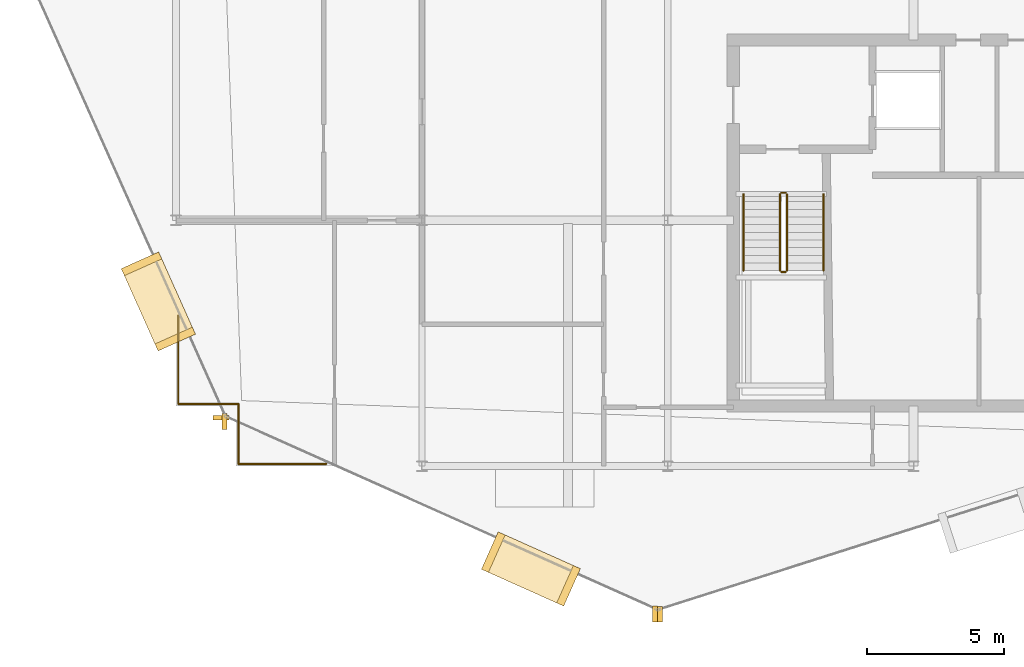
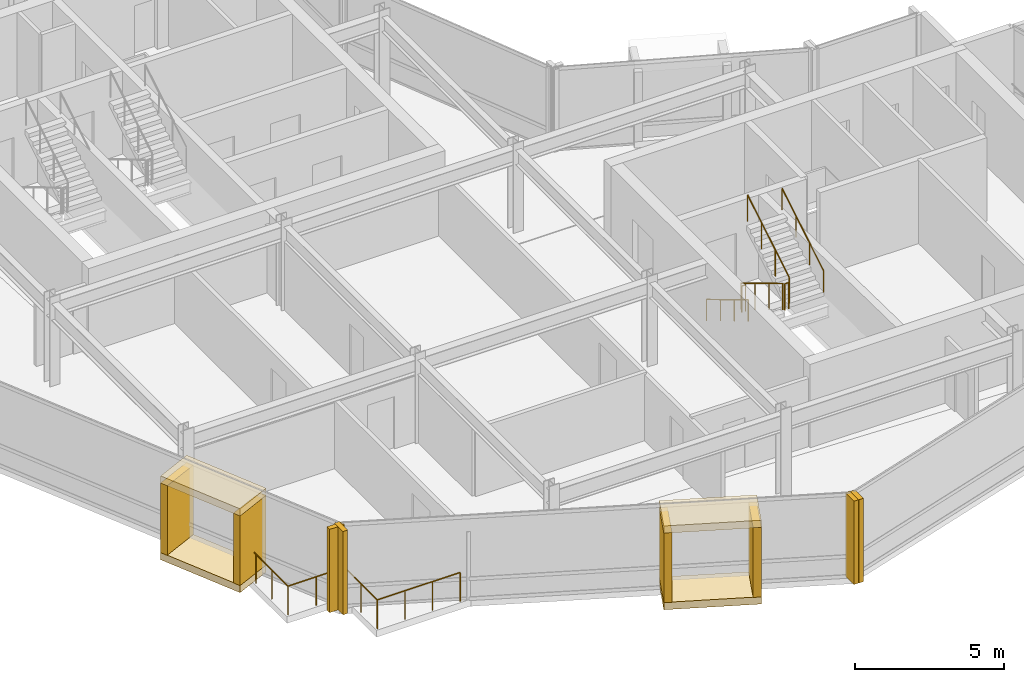
# One storey, part 16 of 19: 12 coverings, 10 railings.
"""IFC4 building model written with IfcOpenShell, lengths in metres."""

from ifc_helpers import new_model, si_unit, direction, frame, origin, origin_2d, place, context, subcontext, project, spatial, rectangle, circle, extrude, material, layer, layer_set, type_object, element, save


model = new_model("IFC4")

# Units and contexts
model_context = context("Model", 3, precision=1e-05, world=origin(), true_north=direction((0.0, 1.0)))
body_context = subcontext(model_context, "Body", "Model", "MODEL_VIEW")
ifc_project = project(units=[si_unit("LENGTHUNIT", "METRE"), si_unit("AREAUNIT", "SQUARE_METRE"), si_unit("VOLUMEUNIT", "CUBIC_METRE"), si_unit("PLANEANGLEUNIT", "RADIAN"), si_unit("MASSUNIT", "GRAM", prefix="KILO")], contexts=[model_context])

# Site, building, storey
site_placement = place(None, origin())
site = spatial("IfcSite", under=ifc_project, at=site_placement, CompositionType="ELEMENT")
building_placement = place(site_placement, origin())
building = spatial("IfcBuilding", under=site, at=building_placement, Name="Solvaryn Broadcast Tower", CompositionType="ELEMENT")
storey_placement = place(building_placement, frame((0.0, 0.0, 251.89990234375)))
storey = spatial("IfcBuildingStorey", under=building, at=storey_placement, Name="L63", CompositionType="ELEMENT", Elevation=251.89990234375)

# Coverings
ifc_material_1 = material(Name="Glazed Architectural Terracotta Rainscreen Cladding", Category="masonry")
ifc_layer_1 = layer(ifc_material_1, 0.280029296875)
ifc_layer_set_1 = layer_set([ifc_layer_1], Name="CV-TC-CLAD")
covering_type_1 = type_object("IfcCoveringType", Name="CV-TC-CLAD", PredefinedType="CLADDING", material=ifc_layer_set_1)
for number, where, z_axis, x_axis, name in (
    (1, (8.35107421875, 15.030029296875, 3.1298828125), (0.0, 0.0, 1.0), (0.408489773781, -0.91276289622, 0.0), "L63 Projecting Stone Window Box Hood 2"),
    (2, (8.35107421875, 15.030029296875, -0.009765625), (0.0, 0.0, 1.0), (0.408489773781, -0.91276289622, 0.0), "L63 Projecting Stone Window Box Sill 2"),
):
    element("IfcCovering", number, at=place(storey_placement, frame(where, z_axis=z_axis, x_axis=x_axis)), inside=storey, type_object=covering_type_1, Name=name, PredefinedType="CLADDING", context=body_context, shape_type="SweptSolid", body=[
        extrude(rectangle(XDim=3.300048828125, YDim=1.5, at=origin_2d()), origin(), (0.0, 0.0, 1.0), 0.300048828125),
    ])
for number, where, z_axis, x_axis, name in (
    (3, (7.734130859375, 16.408203125, 0.2802734375), (0.0, 0.0, 1.0), (0.408489773781, -0.91276289622, 0.0), "L63 Projecting Stone Window Box Cheek 2-1"),
    (4, (8.9677734375, 13.651611328125, 0.2802734375), (0.0, 0.0, 1.0), (0.408489773781, -0.91276289622, 0.0), "L63 Projecting Stone Window Box Cheek 2-2"),
):
    element("IfcCovering", number, at=place(storey_placement, frame(where, z_axis=z_axis, x_axis=x_axis)), inside=storey, type_object=covering_type_1, Name=name, PredefinedType="CLADDING", context=body_context, shape_type="SweptSolid", body=[
        extrude(rectangle(XDim=0.280029296875, YDim=1.5, at=origin_2d()), origin(), (0.0, 0.0, 1.0), 2.860107421875),
    ])
for number, where, z_axis, x_axis, name in (
    (5, (21.989990234375, 5.236083984375, 3.1298828125), (0.0, 0.0, 1.0), (0.91276289622, -0.408489773781, 0.0), "L63 Projecting Stone Window Box Hood 3"),
    (6, (21.989990234375, 5.236083984375, -0.009765625), (0.0, 0.0, 1.0), (0.91276289622, -0.408489773781, 0.0), "L63 Projecting Stone Window Box Sill 3"),
):
    element("IfcCovering", number, at=place(storey_placement, frame(where, z_axis=z_axis, x_axis=x_axis)), inside=storey, type_object=covering_type_1, Name=name, PredefinedType="CLADDING", context=body_context, shape_type="SweptSolid", body=[
        extrude(rectangle(XDim=3.300048828125, YDim=1.5, at=origin_2d()), origin(), (0.0, 0.0, 1.0), 0.300048828125),
    ])
for number, where, z_axis, x_axis, name in (
    (7, (20.61181640625, 5.852783203125, 0.2802734375), (0.0, 0.0, 1.0), (0.91276289622, -0.408489773781, 0.0), "L63 Projecting Stone Window Box Cheek 3-1"),
    (8, (23.368408203125, 4.619140625, 0.2802734375), (0.0, 0.0, 1.0), (0.91276289622, -0.408489773781, 0.0), "L63 Projecting Stone Window Box Cheek 3-2"),
):
    element("IfcCovering", number, at=place(storey_placement, frame(where, z_axis=z_axis, x_axis=x_axis)), inside=storey, type_object=covering_type_1, Name=name, PredefinedType="CLADDING", context=body_context, shape_type="SweptSolid", body=[
        extrude(rectangle(XDim=0.280029296875, YDim=1.5, at=origin_2d()), origin(), (0.0, 0.0, 1.0), 2.860107421875),
    ])
ifc_material_2 = material(Name="Extruded Architectural Terracotta Fin", Category="masonry")
ifc_layer_2 = layer(ifc_material_2, 0.179931640625)
ifc_layer_set_2 = layer_set([ifc_layer_2], Name="CV-TC-FIN")
covering_type_2 = type_object("IfcCoveringType", Name="CV-TC-FIN", PredefinedType="USERDEFINED", material=ifc_layer_set_2)
covering_placement = place(storey_placement, frame((10.640380859375, 10.77099609375, 0.000244140625), z_axis=(0.0, 0.0, 1.0), x_axis=(1.0, 0.0, 0.0)))
element("IfcCovering", 9, at=covering_placement, inside=storey, type_object=covering_type_2, Name="L63 Terracotta Vertical Fin FIN-L63-DR2-M01", ObjectType="FIN", PredefinedType="USERDEFINED", context=body_context, shape_type="SweptSolid", body=[
    extrude(rectangle(XDim=0.580078125, YDim=0.179931640625, at=origin_2d()), origin(), (0.0, 0.0, 1.0), 3.419921875),
])
for number, where, z_axis, x_axis, name in (
    (10, (10.77099609375, 10.640380859375, 0.000244140625), (0.0, 0.0, 1.0), (1.0, 0.0, 0.0), "L63 Terracotta Vertical Fin FIN-L63-DR3-M00"),
    (11, (26.53515625, 3.5859375, 0.000244140625), (0.0, 0.0, 1.0), (1.0, 0.0, 0.0), "L63 Terracotta Vertical Fin FIN-L63-DR3-M01"),
    (12, (26.71923828125, 3.575439453125, 0.000244140625), (0.0, 0.0, 1.0), (1.0, 0.0, 0.0), "L63 Terracotta Vertical Fin FIN-L63-DR4-M00"),
):
    element("IfcCovering", number, at=place(storey_placement, frame(where, z_axis=z_axis, x_axis=x_axis)), inside=storey, type_object=covering_type_2, Name=name, ObjectType="FIN", PredefinedType="USERDEFINED", context=body_context, shape_type="SweptSolid", body=[
        extrude(rectangle(XDim=0.179931640625, YDim=0.580078125, at=origin_2d()), origin(), (0.0, 0.0, 1.0), 3.419921875),
    ])

# Railings
ifc_material_3 = material(Name="Stainless Steel and Laminated Glass Guard", Category="steel")
railing_type_1 = type_object("IfcRailingType", Name="RL-SKYG-1200", PredefinedType="BALUSTRADE", material=ifc_material_3)
railing_1_placement = place(storey_placement, frame((9.080078125, 14.5, 0.0)))
element("IfcRailing", 13, at=railing_1_placement, inside=storey, type_object=railing_type_1, Name="L63 Upper SW Corner Balustrade 1", PredefinedType="BALUSTRADE", context=body_context, shape_type="SweptSolid", body=[
    extrude(circle(Radius=0.02392578125, at=origin_2d()), frame((0.0, 0.0, 1.17578125), z_axis=(0.0, -1.0, 0.0), x_axis=(1.0, 0.0, 0.0)), (0.0, 0.0, 1.0), 3.219970703125),
    extrude(circle(Radius=0.02099609375, at=origin_2d()), origin(), (0.0, 0.0, 1.0), 1.15185546875),
    extrude(circle(Radius=0.02099609375, at=origin_2d()), frame((0.0, -1.0732421875, 0.0)), (0.0, 0.0, 1.0), 1.15185546875),
    extrude(circle(Radius=0.02099609375, at=origin_2d()), frame((0.0, -2.146728515625, 0.0)), (0.0, 0.0, 1.0), 1.15185546875),
    extrude(circle(Radius=0.02099609375, at=origin_2d()), frame((0.0, -3.219970703125, 0.0)), (0.0, 0.0, 1.0), 1.15185546875),
])
railing_2_placement = place(storey_placement, frame((9.080078125, 11.280029296875, 0.0)))
element("IfcRailing", 14, at=railing_2_placement, inside=storey, type_object=railing_type_1, Name="L63 Upper SW Corner Balustrade 2", PredefinedType="BALUSTRADE", context=body_context, shape_type="SweptSolid", body=[
    extrude(circle(Radius=0.02392578125, at=origin_2d()), frame((0.0, 0.0, 1.17578125), z_axis=(1.0, 0.0, 0.0), x_axis=(0.0, 1.0, 0.0)), (0.0, 0.0, 1.0), 2.199951171875),
    extrude(circle(Radius=0.02099609375, at=origin_2d()), origin(), (0.0, 0.0, 1.0), 1.15185546875),
    extrude(circle(Radius=0.02099609375, at=origin_2d()), frame((1.10009765625, 0.0, 0.0)), (0.0, 0.0, 1.0), 1.15185546875),
    extrude(circle(Radius=0.02099609375, at=origin_2d()), frame((2.199951171875, 0.0, 0.0)), (0.0, 0.0, 1.0), 1.15185546875),
])
railing_3_placement = place(storey_placement, frame((11.280029296875, 11.280029296875, 0.0)))
element("IfcRailing", 15, at=railing_3_placement, inside=storey, type_object=railing_type_1, Name="L63 Upper SW Corner Balustrade 3", PredefinedType="BALUSTRADE", context=body_context, shape_type="SweptSolid", body=[
    extrude(circle(Radius=0.02392578125, at=origin_2d()), frame((0.0, 0.0, 1.17578125), z_axis=(0.0, -1.0, 0.0), x_axis=(1.0, 0.0, 0.0)), (0.0, 0.0, 1.0), 2.199951171875),
    extrude(circle(Radius=0.02099609375, at=origin_2d()), origin(), (0.0, 0.0, 1.0), 1.15185546875),
    extrude(circle(Radius=0.02099609375, at=origin_2d()), frame((0.0, -1.10009765625, 0.0)), (0.0, 0.0, 1.0), 1.15185546875),
    extrude(circle(Radius=0.02099609375, at=origin_2d()), frame((0.0, -2.199951171875, 0.0)), (0.0, 0.0, 1.0), 1.15185546875),
])
railing_4_placement = place(storey_placement, frame((11.280029296875, 9.080078125, 0.0)))
element("IfcRailing", 16, at=railing_4_placement, inside=storey, type_object=railing_type_1, Name="L63 Upper SW Corner Balustrade 4", PredefinedType="BALUSTRADE", context=body_context, shape_type="SweptSolid", body=[
    extrude(circle(Radius=0.02392578125, at=origin_2d()), frame((0.0, 0.0, 1.17578125), z_axis=(1.0, 0.0, 0.0), x_axis=(0.0, 1.0, 0.0)), (0.0, 0.0, 1.0), 3.219970703125),
    extrude(circle(Radius=0.02099609375, at=origin_2d()), origin(), (0.0, 0.0, 1.0), 1.15185546875),
    extrude(circle(Radius=0.02099609375, at=origin_2d()), frame((1.0732421875, 0.0, 0.0)), (0.0, 0.0, 1.0), 1.15185546875),
    extrude(circle(Radius=0.02099609375, at=origin_2d()), frame((2.146728515625, 0.0, 0.0)), (0.0, 0.0, 1.0), 1.15185546875),
    extrude(circle(Radius=0.02099609375, at=origin_2d()), frame((3.219970703125, 0.0, 0.0)), (0.0, 0.0, 1.0), 1.15185546875),
])
ifc_material_4 = material(Name="Painted Steel Stair Well Guard", Category="steel")
railing_type_2 = type_object("IfcRailingType", Name="RL-STAIR-GUARD", PredefinedType="BALUSTRADE", material=ifc_material_4)
railing_5_placement = place(storey_placement, frame((31.110107421875, 18.9599609375, 0.168212890625)))
element("IfcRailing", 17, at=railing_5_placement, inside=storey, type_object=railing_type_2, Name="L63 ST3 stair guard 1", PredefinedType="BALUSTRADE", context=body_context, shape_type="SweptSolid", body=[
    extrude(circle(Radius=0.02392578125, at=origin_2d()), frame((0.0, 0.0, 1.076171875), z_axis=(0.0, -0.857242210791, 0.514913383045), x_axis=(1.0, 0.0, 0.0)), (0.0, 0.0, 1.0), 3.266357421875),
    extrude(circle(Radius=0.02099609375, at=origin_2d()), origin(), (0.0, 0.0, 1.0), 1.052001953125),
    extrude(circle(Radius=0.02099609375, at=origin_2d()), frame((0.0, -0.933349609375, 0.560546875)), (0.0, 0.0, 1.0), 1.052001953125),
    extrude(circle(Radius=0.02099609375, at=origin_2d()), frame((0.0, -1.86669921875, 1.121337890625)), (0.0, 0.0, 1.0), 1.052001953125),
    extrude(circle(Radius=0.02099609375, at=origin_2d()), frame((0.0, -2.800048828125, 1.681884765625)), (0.0, 0.0, 1.0), 1.052001953125),
])
railing_6_placement = place(storey_placement, frame((31.159912109375, 16.110107421875, 1.85009765625)))
element("IfcRailing", 18, at=railing_6_placement, inside=storey, type_object=railing_type_2, Name="L63 ST3 stair guard 2", PredefinedType="BALUSTRADE", context=body_context, shape_type="SweptSolid", body=[
    extrude(circle(Radius=0.02392578125, at=origin_2d()), frame((0.0, 0.0, 1.076171875), z_axis=(1.0, 0.0, 0.0), x_axis=(0.0, 1.0, 0.0)), (0.0, 0.0, 1.0), 0.150146484375),
    extrude(circle(Radius=0.02099609375, at=origin_2d()), origin(), (0.0, 0.0, 1.0), 1.052001953125),
    extrude(circle(Radius=0.02099609375, at=origin_2d()), frame((0.150146484375, 0.0, 0.0)), (0.0, 0.0, 1.0), 1.052001953125),
])
railing_7_placement = place(storey_placement, frame((31.360107421875, 16.159912109375, 2.018310546875)))
element("IfcRailing", 19, at=railing_7_placement, inside=storey, type_object=railing_type_2, Name="L63 ST3 stair guard 3", PredefinedType="BALUSTRADE", context=body_context, shape_type="SweptSolid", body=[
    extrude(circle(Radius=0.02392578125, at=origin_2d()), frame((0.0, 0.0, 1.076171875), z_axis=(0.0, 0.857242210791, 0.514913383045), x_axis=(-1.0, 0.0, 0.0)), (0.0, 0.0, 1.0), 3.266357421875),
    extrude(circle(Radius=0.02099609375, at=origin_2d()), origin(), (0.0, 0.0, 1.0), 1.052001953125),
    extrude(circle(Radius=0.02099609375, at=origin_2d()), frame((0.0, 0.933349609375, 0.560546875)), (0.0, 0.0, 1.0), 1.052001953125),
    extrude(circle(Radius=0.02099609375, at=origin_2d()), frame((0.0, 1.86669921875, 1.121337890625)), (0.0, 0.0, 1.0), 1.052001953125),
    extrude(circle(Radius=0.02099609375, at=origin_2d()), frame((0.0, 2.800048828125, 1.681884765625)), (0.0, 0.0, 1.0), 1.052001953125),
])
railing_8_placement = place(storey_placement, frame((31.159912109375, 19.010009765625, 0.0)))
element("IfcRailing", 20, at=railing_8_placement, inside=storey, type_object=railing_type_2, Name="L63 ST3 stair guard 4", PredefinedType="BALUSTRADE", context=body_context, shape_type="SweptSolid", body=[
    extrude(circle(Radius=0.02392578125, at=origin_2d()), frame((0.0, 0.0, 1.076171875), z_axis=(1.0, 0.0, 0.0), x_axis=(0.0, 1.0, 0.0)), (0.0, 0.0, 1.0), 0.150146484375),
    extrude(circle(Radius=0.02099609375, at=origin_2d()), origin(), (0.0, 0.0, 1.0), 1.052001953125),
    extrude(circle(Radius=0.02099609375, at=origin_2d()), frame((0.150146484375, 0.0, 0.0)), (0.0, 0.0, 1.0), 1.052001953125),
])
ifc_material_5 = material(Name="Brushed Stainless Steel Tubular Handrail", Category="steel")
railing_type_3 = type_object("IfcRailingType", Name="RL-STAIR-HANDRAIL", PredefinedType="HANDRAIL", material=ifc_material_5)
railing_9_placement = place(storey_placement, frame((29.77001953125, 18.9599609375, 0.168212890625)))
element("IfcRailing", 21, at=railing_9_placement, inside=storey, type_object=railing_type_3, Name="L63 ST3 stair handrail 1", PredefinedType="HANDRAIL", context=body_context, shape_type="SweptSolid", body=[
    extrude(circle(Radius=0.02392578125, at=origin_2d()), frame((0.0, 0.0, 0.8759765625), z_axis=(0.0, -0.857242210791, 0.514913383045), x_axis=(1.0, 0.0, 0.0)), (0.0, 0.0, 1.0), 3.266357421875),
    extrude(circle(Radius=0.02099609375, at=origin_2d()), origin(), (0.0, 0.0, 1.0), 0.851806640625),
    extrude(circle(Radius=0.02099609375, at=origin_2d()), frame((0.0, -0.933349609375, 0.560546875)), (0.0, 0.0, 1.0), 0.851806640625),
    extrude(circle(Radius=0.02099609375, at=origin_2d()), frame((0.0, -1.86669921875, 1.121337890625)), (0.0, 0.0, 1.0), 0.851806640625),
    extrude(circle(Radius=0.02099609375, at=origin_2d()), frame((0.0, -2.800048828125, 1.681884765625)), (0.0, 0.0, 1.0), 0.851806640625),
])
railing_10_placement = place(storey_placement, frame((32.699951171875, 16.159912109375, 2.018310546875)))
element("IfcRailing", 22, at=railing_10_placement, inside=storey, type_object=railing_type_3, Name="L63 ST3 stair handrail 2", PredefinedType="HANDRAIL", context=body_context, shape_type="SweptSolid", body=[
    extrude(circle(Radius=0.02392578125, at=origin_2d()), frame((0.0, 0.0, 0.8759765625), z_axis=(0.0, 0.857242210791, 0.514913383045), x_axis=(-1.0, 0.0, 0.0)), (0.0, 0.0, 1.0), 3.266357421875),
    extrude(circle(Radius=0.02099609375, at=origin_2d()), origin(), (0.0, 0.0, 1.0), 0.851806640625),
    extrude(circle(Radius=0.02099609375, at=origin_2d()), frame((0.0, 0.933349609375, 0.560546875)), (0.0, 0.0, 1.0), 0.851806640625),
    extrude(circle(Radius=0.02099609375, at=origin_2d()), frame((0.0, 1.86669921875, 1.121337890625)), (0.0, 0.0, 1.0), 0.851806640625),
    extrude(circle(Radius=0.02099609375, at=origin_2d()), frame((0.0, 2.800048828125, 1.681884765625)), (0.0, 0.0, 1.0), 0.851806640625),
])

save(model, "model.ifc")
